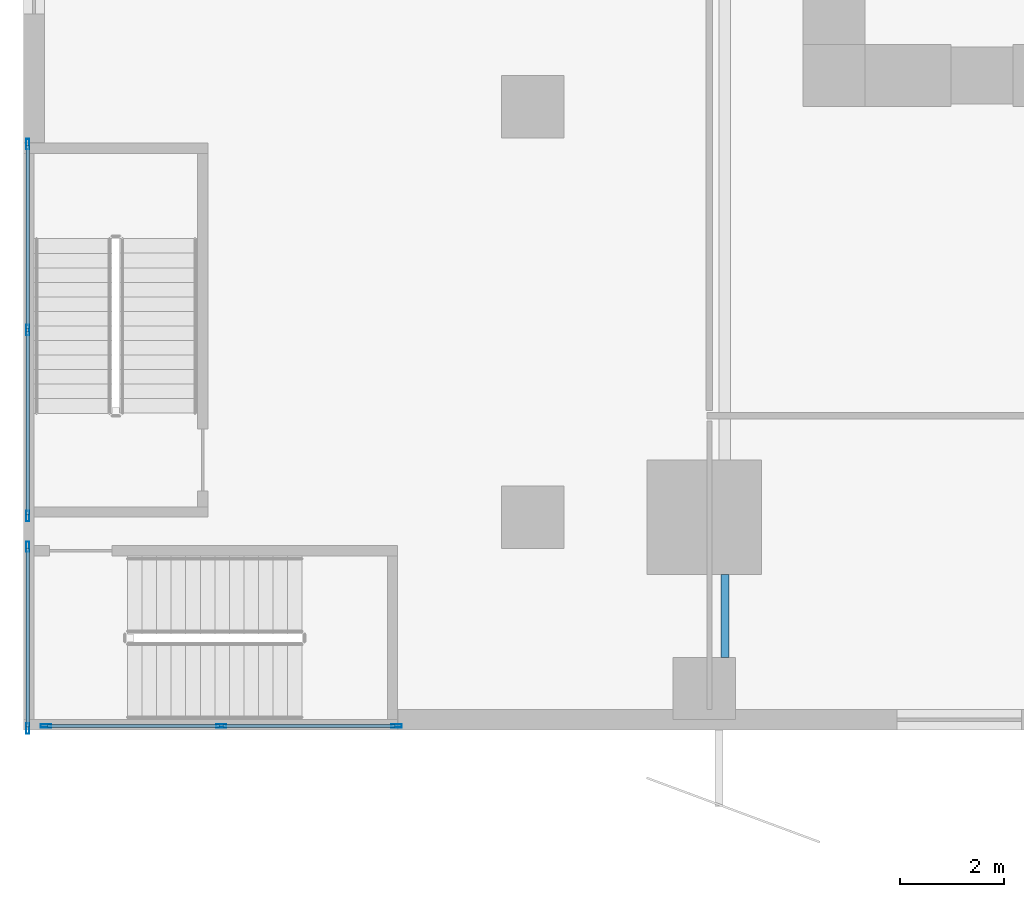
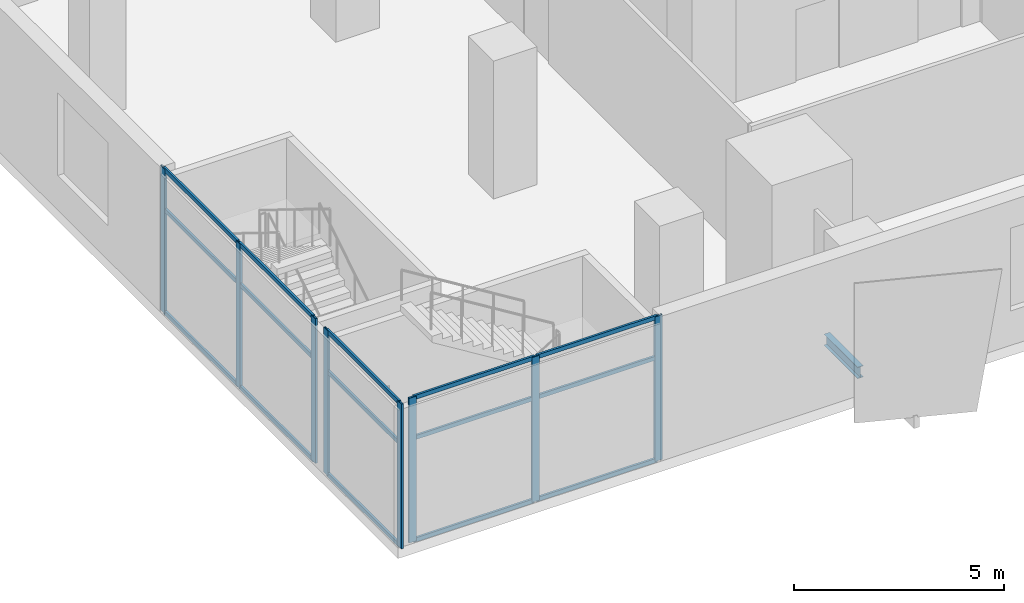
# One storey, part 2 of 21: 23 members, 1 beam, 3 elements without a shape of their own.
"""IFC4 building model written with IfcOpenShell, lengths in metres."""

from ifc_helpers import new_model, si_unit, direction, frame, origin, origin_2d, place, context, subcontext, project, spatial, hollow_rectangle, i_section, extrude, source, transform, mapped, material, material_profile, profile_set, type_object, element, aggregate, save


model = new_model("IFC4")

# Units and contexts
model_context = context("Model", 3, precision=1e-05, world=origin(), true_north=direction((0.0, 1.0)))
body_context = subcontext(model_context, "Body", "Model", "MODEL_VIEW")
ifc_project = project(units=[si_unit("LENGTHUNIT", "METRE"), si_unit("AREAUNIT", "SQUARE_METRE"), si_unit("VOLUMEUNIT", "CUBIC_METRE"), si_unit("PLANEANGLEUNIT", "RADIAN"), si_unit("MASSUNIT", "GRAM", prefix="KILO")], contexts=[model_context])

# Site, building, storey
site_placement = place(None, origin())
site = spatial("IfcSite", under=ifc_project, at=site_placement, CompositionType="ELEMENT")
building_placement = place(site_placement, origin())
building = spatial("IfcBuilding", under=site, at=building_placement, Name="Khomas Fold Tower", CompositionType="ELEMENT")
storey_placement = place(building_placement, frame((0.0, 0.0, 28.5)))
storey = spatial("IfcBuildingStorey", under=building, at=storey_placement, Name="L05", CompositionType="ELEMENT", Elevation=28.5)

# Beam
ifc_material_1 = material(Name="Steel S355", Category="steel")
ifc_material_profile_1 = material_profile(ifc_material_1, i_section(OverallWidth=0.159912109375, OverallDepth=0.330078125, WebThickness=0.007568359375, FlangeThickness=0.011474609375, at=origin_2d()), Name="IPE 330")
ifc_profile_set_1 = profile_set([ifc_material_profile_1], Name="Steel S355")
beam_type = type_object("IfcBeamType", Name="IPE 330 beam JB1", PredefinedType="BEAM", material=ifc_profile_set_1)
shared_shape_1 = source(origin(), body_context, "Body", "SweptSolid", [
    extrude(i_section(OverallWidth=0.159912109375, OverallDepth=0.330078125, WebThickness=0.007568359375, FlangeThickness=0.011474609375, at=origin_2d()), origin(), (0.0, 0.0, 1.0), 1.60009765625),
])
beam_placement = place(storey_placement, frame((4.5, 1.39990234375, -0.465087890625), z_axis=(0.0, 1.0, 0.0), x_axis=(-1.0, 0.0, 0.0)))
element("IfcBeam", 1, at=beam_placement, inside=storey, type_object=beam_type, Name="JB1", PredefinedType="BEAM", context=body_context, shape_type="MappedRepresentation", body=[
    mapped(shared_shape_1, transform((0.0, 0.0, 0.0))),
])

# Curtain wall, members
ifc_material_2 = material(Name="Aluminium framed double glazing", Category="aluminium")
curtain_wall_type = type_object("IfcCurtainWallType", Name="Shopfront glazing PD-CW", PredefinedType="NOTDEFINED", material=ifc_material_2)
curtain_wall_1_placement = place(storey_placement, origin())
curtain_wall_1 = element("IfcCurtainWall", 2, at=curtain_wall_1_placement, inside=storey, type_object=curtain_wall_type, Name="Podium stair-tower glazing", PredefinedType="NOTDEFINED")
ifc_material_3 = material(Name="Aluminium", Category="aluminium")
ifc_material_profile_2 = material_profile(ifc_material_3, hollow_rectangle(XDim=0.06005859375, YDim=0.1201171875, WallThickness=0.00390625, at=origin_2d()), Name="Shopfront glazing transom PD-CW-T")
ifc_profile_set_2 = profile_set([ifc_material_profile_2], Name="Aluminium")
member_type_1 = type_object("IfcMemberType", Name="Shopfront glazing transom PD-CW-T", PredefinedType="USERDEFINED", material=ifc_profile_set_2)
shared_shape_2 = source(origin(), body_context, "Body", "SweptSolid", [
    extrude(hollow_rectangle(XDim=0.06005859375, YDim=0.1201171875, WallThickness=0.00390625, at=origin_2d()), origin(), (0.0, 0.0, 1.0), 3.52001953125),
])
member_1_placement = place(storey_placement, frame((-8.919921875, 11.25, 0.030029296875), z_axis=(0.0, -1.0, 0.0), x_axis=(1.0, 0.0, 0.0)))
member_1 = element("IfcMember", 3, at=member_1_placement, type_object=member_type_1, Name="PD-CW transom 1.1", ObjectType="TRANSOM", PredefinedType="USERDEFINED", context=body_context, shape_type="MappedRepresentation", body=[
    mapped(shared_shape_2, transform((0.0, 0.0, 0.0))),
])
member_2_placement = place(storey_placement, frame((-8.919921875, 11.25, 3.0), z_axis=(0.0, -1.0, 0.0), x_axis=(1.0, 0.0, 0.0)))
member_2 = element("IfcMember", 4, at=member_2_placement, type_object=member_type_1, Name="PD-CW transom 1.2", ObjectType="TRANSOM", PredefinedType="USERDEFINED", context=body_context, shape_type="MappedRepresentation", body=[
    mapped(shared_shape_2, transform((0.0, 0.0, 0.0))),
])
member_3_placement = place(storey_placement, frame((-8.919921875, 11.25, 4.169921875), z_axis=(0.0, -1.0, 0.0), x_axis=(1.0, 0.0, 0.0)))
member_3 = element("IfcMember", 5, at=member_3_placement, type_object=member_type_1, Name="PD-CW transom 1.3", ObjectType="TRANSOM", PredefinedType="USERDEFINED", context=body_context, shape_type="MappedRepresentation", body=[
    mapped(shared_shape_2, transform((0.0, 0.0, 0.0))),
])
member_4_placement = place(storey_placement, frame((-8.919921875, 7.669921875, 0.030029296875), z_axis=(0.0, -1.0, 0.0), x_axis=(1.0, 0.0, 0.0)))
member_4 = element("IfcMember", 6, at=member_4_placement, type_object=member_type_1, Name="PD-CW transom 2.1", ObjectType="TRANSOM", PredefinedType="USERDEFINED", context=body_context, shape_type="MappedRepresentation", body=[
    mapped(shared_shape_2, transform((0.0, 0.0, 0.0))),
])
member_5_placement = place(storey_placement, frame((-8.919921875, 7.669921875, 3.0), z_axis=(0.0, -1.0, 0.0), x_axis=(1.0, 0.0, 0.0)))
member_5 = element("IfcMember", 7, at=member_5_placement, type_object=member_type_1, Name="PD-CW transom 2.2", ObjectType="TRANSOM", PredefinedType="USERDEFINED", context=body_context, shape_type="MappedRepresentation", body=[
    mapped(shared_shape_2, transform((0.0, 0.0, 0.0))),
])
member_6_placement = place(storey_placement, frame((-8.919921875, 7.669921875, 4.169921875), z_axis=(0.0, -1.0, 0.0), x_axis=(1.0, 0.0, 0.0)))
member_6 = element("IfcMember", 8, at=member_6_placement, type_object=member_type_1, Name="PD-CW transom 2.3", ObjectType="TRANSOM", PredefinedType="USERDEFINED", context=body_context, shape_type="MappedRepresentation", body=[
    mapped(shared_shape_2, transform((0.0, 0.0, 0.0))),
])

curtain_wall_2_placement = place(storey_placement, origin())
curtain_wall_2 = element("IfcCurtainWall", 9, at=curtain_wall_2_placement, inside=storey, type_object=curtain_wall_type, Name="Podium stair-tower glazing", PredefinedType="NOTDEFINED")
shared_shape_3 = source(origin(), body_context, "Body", "SweptSolid", [
    extrude(hollow_rectangle(XDim=0.06005859375, YDim=0.1201171875, WallThickness=0.00390625, at=origin_2d()), origin(), (0.0, 0.0, 1.0), 3.43994140625),
])
member_7_placement = place(storey_placement, frame((-8.919921875, 3.5, 0.030029296875), z_axis=(0.0, -1.0, 0.0), x_axis=(1.0, 0.0, 0.0)))
member_7 = element("IfcMember", 10, at=member_7_placement, type_object=member_type_1, Name="PD-CW transom 1.1", ObjectType="TRANSOM", PredefinedType="USERDEFINED", context=body_context, shape_type="MappedRepresentation", body=[
    mapped(shared_shape_3, transform((0.0, 0.0, 0.0))),
])
member_8_placement = place(storey_placement, frame((-8.919921875, 3.5, 3.0), z_axis=(0.0, -1.0, 0.0), x_axis=(1.0, 0.0, 0.0)))
member_8 = element("IfcMember", 11, at=member_8_placement, type_object=member_type_1, Name="PD-CW transom 1.2", ObjectType="TRANSOM", PredefinedType="USERDEFINED", context=body_context, shape_type="MappedRepresentation", body=[
    mapped(shared_shape_3, transform((0.0, 0.0, 0.0))),
])
member_9_placement = place(storey_placement, frame((-8.919921875, 3.5, 4.169921875), z_axis=(0.0, -1.0, 0.0), x_axis=(1.0, 0.0, 0.0)))
member_9 = element("IfcMember", 12, at=member_9_placement, type_object=member_type_1, Name="PD-CW transom 1.3", ObjectType="TRANSOM", PredefinedType="USERDEFINED", context=body_context, shape_type="MappedRepresentation", body=[
    mapped(shared_shape_3, transform((0.0, 0.0, 0.0))),
])

curtain_wall_3_placement = place(storey_placement, origin())
curtain_wall_3 = element("IfcCurtainWall", 13, at=curtain_wall_3_placement, inside=storey, type_object=curtain_wall_type, Name="Podium stair-tower glazing", PredefinedType="NOTDEFINED")
shared_shape_4 = source(origin(), body_context, "Body", "SweptSolid", [
    extrude(hollow_rectangle(XDim=0.06005859375, YDim=0.1201171875, WallThickness=0.00390625, at=origin_2d()), origin(), (0.0, 0.0, 1.0), 3.31494140625),
])
member_10_placement = place(storey_placement, frame((-8.5400390625, 0.080078125, 0.030029296875), z_axis=(1.0, 0.0, 0.0), x_axis=(0.0, 1.0, 0.0)))
member_10 = element("IfcMember", 14, at=member_10_placement, type_object=member_type_1, Name="PD-CW transom 1.1", ObjectType="TRANSOM", PredefinedType="USERDEFINED", context=body_context, shape_type="MappedRepresentation", body=[
    mapped(shared_shape_4, transform((0.0, 0.0, 0.0))),
])
member_11_placement = place(storey_placement, frame((-8.5400390625, 0.080078125, 3.0), z_axis=(1.0, 0.0, 0.0), x_axis=(0.0, 1.0, 0.0)))
member_11 = element("IfcMember", 15, at=member_11_placement, type_object=member_type_1, Name="PD-CW transom 1.2", ObjectType="TRANSOM", PredefinedType="USERDEFINED", context=body_context, shape_type="MappedRepresentation", body=[
    mapped(shared_shape_4, transform((0.0, 0.0, 0.0))),
])
member_12_placement = place(storey_placement, frame((-8.5400390625, 0.080078125, 4.169921875), z_axis=(1.0, 0.0, 0.0), x_axis=(0.0, 1.0, 0.0)))
member_12 = element("IfcMember", 16, at=member_12_placement, type_object=member_type_1, Name="PD-CW transom 1.3", ObjectType="TRANSOM", PredefinedType="USERDEFINED", context=body_context, shape_type="MappedRepresentation", body=[
    mapped(shared_shape_4, transform((0.0, 0.0, 0.0))),
])
member_13_placement = place(storey_placement, frame((-5.1650390625, 0.080078125, 0.030029296875), z_axis=(1.0, 0.0, 0.0), x_axis=(0.0, 1.0, 0.0)))
member_13 = element("IfcMember", 17, at=member_13_placement, type_object=member_type_1, Name="PD-CW transom 2.1", ObjectType="TRANSOM", PredefinedType="USERDEFINED", context=body_context, shape_type="MappedRepresentation", body=[
    mapped(shared_shape_4, transform((0.0, 0.0, 0.0))),
])
member_14_placement = place(storey_placement, frame((-5.1650390625, 0.080078125, 3.0), z_axis=(1.0, 0.0, 0.0), x_axis=(0.0, 1.0, 0.0)))
member_14 = element("IfcMember", 18, at=member_14_placement, type_object=member_type_1, Name="PD-CW transom 2.2", ObjectType="TRANSOM", PredefinedType="USERDEFINED", context=body_context, shape_type="MappedRepresentation", body=[
    mapped(shared_shape_4, transform((0.0, 0.0, 0.0))),
])
member_15_placement = place(storey_placement, frame((-5.1650390625, 0.080078125, 4.169921875), z_axis=(1.0, 0.0, 0.0), x_axis=(0.0, 1.0, 0.0)))
member_15 = element("IfcMember", 19, at=member_15_placement, type_object=member_type_1, Name="PD-CW transom 2.3", ObjectType="TRANSOM", PredefinedType="USERDEFINED", context=body_context, shape_type="MappedRepresentation", body=[
    mapped(shared_shape_4, transform((0.0, 0.0, 0.0))),
])

# Member
ifc_material_4 = material(Name="Aluminium", Category="aluminium")
ifc_material_profile_3 = material_profile(ifc_material_4, hollow_rectangle(XDim=0.06005859375, YDim=0.199951171875, WallThickness=0.00390625, at=origin_2d()), Name="Shopfront glazing mullion PD-CW-M")
ifc_profile_set_3 = profile_set([ifc_material_profile_3], Name="Aluminium")
member_type_2 = type_object("IfcMemberType", Name="Shopfront glazing mullion PD-CW-M", PredefinedType="MULLION", material=ifc_profile_set_3)
shared_shape_5 = source(origin(), body_context, "Body", "SweptSolid", [
    extrude(hollow_rectangle(XDim=0.06005859375, YDim=0.199951171875, WallThickness=0.00390625, at=origin_2d()), origin(), (0.0, 0.0, 1.0), 4.199951171875),
])
member_16_placement = place(storey_placement, frame((-8.919921875, 11.280029296875, 0.0), z_axis=(0.0, 0.0, 1.0), x_axis=(1.0, 0.0, 0.0)))
member_16 = element("IfcMember", 20, at=member_16_placement, type_object=member_type_2, Name="PD-CW mullion 1", PredefinedType="MULLION", context=body_context, shape_type="MappedRepresentation", body=[
    mapped(shared_shape_5, transform((0.0, 0.0, 0.0))),
])

member_17_placement = place(storey_placement, frame((-8.919921875, 7.699951171875, 0.0), z_axis=(0.0, 0.0, 1.0), x_axis=(1.0, 0.0, 0.0)))
member_17 = element("IfcMember", 21, at=member_17_placement, type_object=member_type_2, Name="PD-CW mullion 2", PredefinedType="MULLION", context=body_context, shape_type="MappedRepresentation", body=[
    mapped(shared_shape_5, transform((0.0, 0.0, 0.0))),
])

member_18_placement = place(storey_placement, frame((-8.919921875, 4.1201171875, 0.0), z_axis=(0.0, 0.0, 1.0), x_axis=(1.0, 0.0, 0.0)))
member_18 = element("IfcMember", 22, at=member_18_placement, type_object=member_type_2, Name="PD-CW mullion 3", PredefinedType="MULLION", context=body_context, shape_type="MappedRepresentation", body=[
    mapped(shared_shape_5, transform((0.0, 0.0, 0.0))),
])

aggregate(curtain_wall_1, [member_16, member_17, member_18, member_1, member_2, member_3, member_4, member_5, member_6])

member_19_placement = place(storey_placement, frame((-8.919921875, 3.530029296875, 0.0), z_axis=(0.0, 0.0, 1.0), x_axis=(1.0, 0.0, 0.0)))
member_19 = element("IfcMember", 23, at=member_19_placement, type_object=member_type_2, Name="PD-CW mullion 1", PredefinedType="MULLION", context=body_context, shape_type="MappedRepresentation", body=[
    mapped(shared_shape_5, transform((0.0, 0.0, 0.0))),
])

member_20_placement = place(storey_placement, frame((-8.919921875, 0.030029296875, 0.0), z_axis=(0.0, 0.0, 1.0), x_axis=(1.0, 0.0, 0.0)))
member_20 = element("IfcMember", 24, at=member_20_placement, type_object=member_type_2, Name="PD-CW mullion 2", PredefinedType="MULLION", context=body_context, shape_type="MappedRepresentation", body=[
    mapped(shared_shape_5, transform((0.0, 0.0, 0.0))),
])

aggregate(curtain_wall_2, [member_19, member_20, member_7, member_8, member_9])

member_21_placement = place(storey_placement, frame((-8.570068359375, 0.080078125, 0.0), z_axis=(0.0, 0.0, 1.0), x_axis=(0.0, 1.0, 0.0)))
member_21 = element("IfcMember", 25, at=member_21_placement, type_object=member_type_2, Name="PD-CW mullion 1", PredefinedType="MULLION", context=body_context, shape_type="MappedRepresentation", body=[
    mapped(shared_shape_5, transform((0.0, 0.0, 0.0))),
])

member_22_placement = place(storey_placement, frame((-5.195068359375, 0.080078125, 0.0), z_axis=(0.0, 0.0, 1.0), x_axis=(0.0, 1.0, 0.0)))
member_22 = element("IfcMember", 26, at=member_22_placement, type_object=member_type_2, Name="PD-CW mullion 2", PredefinedType="MULLION", context=body_context, shape_type="MappedRepresentation", body=[
    mapped(shared_shape_5, transform((0.0, 0.0, 0.0))),
])

member_23_placement = place(storey_placement, frame((-1.820068359375, 0.080078125, 0.0), z_axis=(0.0, 0.0, 1.0), x_axis=(0.0, 1.0, 0.0)))
member_23 = element("IfcMember", 27, at=member_23_placement, type_object=member_type_2, Name="PD-CW mullion 3", PredefinedType="MULLION", context=body_context, shape_type="MappedRepresentation", body=[
    mapped(shared_shape_5, transform((0.0, 0.0, 0.0))),
])

aggregate(curtain_wall_3, [member_21, member_22, member_23, member_10, member_11, member_12, member_13, member_14, member_15])

save(model, "model.ifc")
